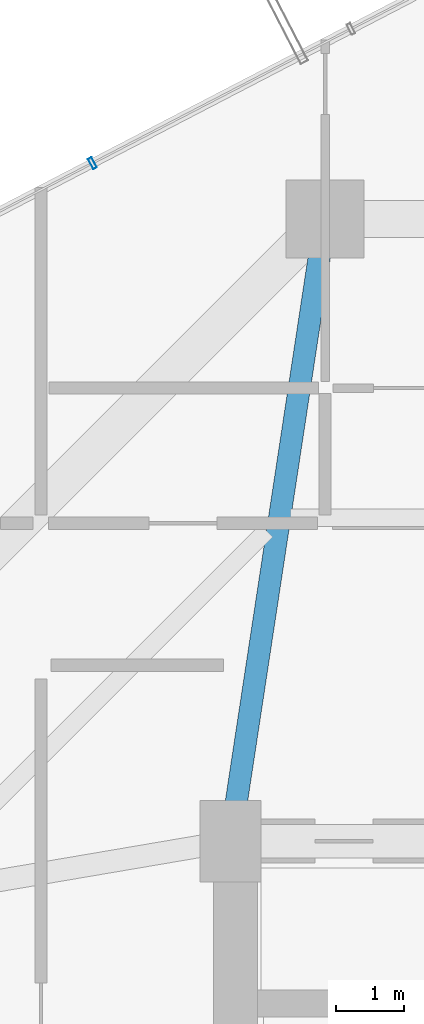
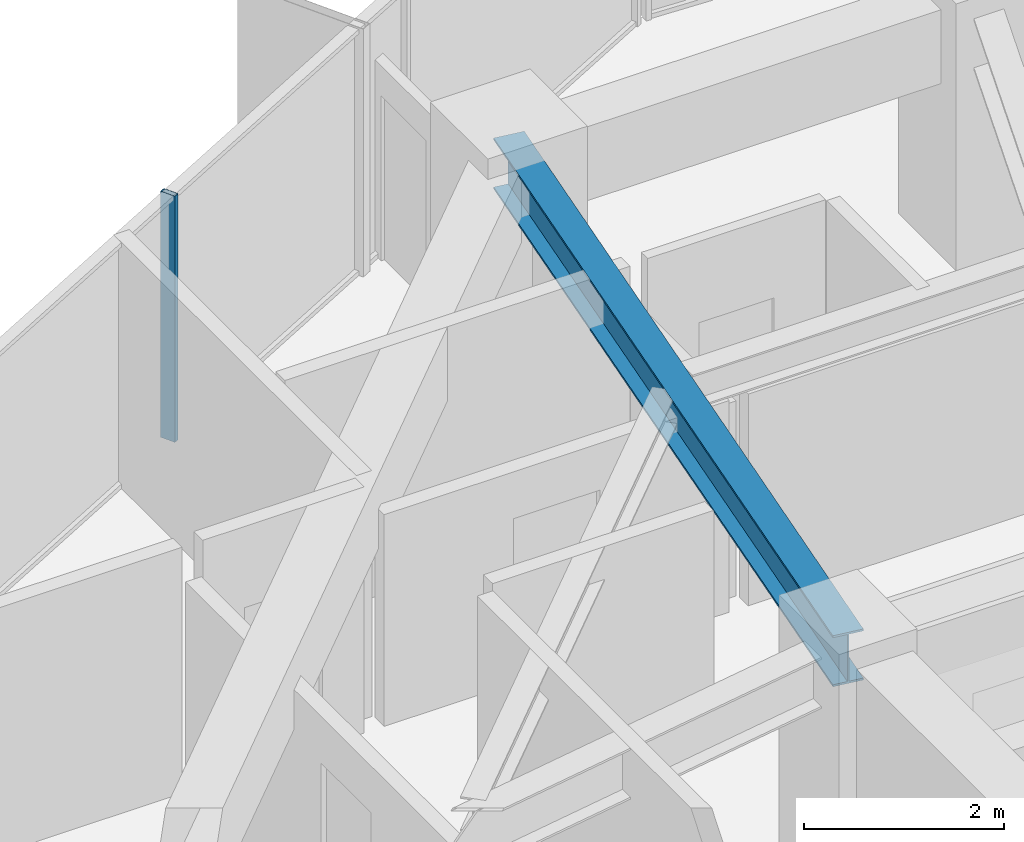
# One storey, part 17 of 30: 1 beam, 1 member, 1 element without a shape of its own.
"""IFC4 building model written with IfcOpenShell, lengths in metres."""

from ifc_helpers import new_model, si_unit, direction, frame, origin, origin_2d, place, context, subcontext, project, spatial, hollow_rectangle, i_section, extrude, source, transform, mapped, material, layer, layer_set, material_profile, profile_set, type_object, element, aggregate, save


model = new_model("IFC4")

# Units and contexts
model_context = context("Model", 3, precision=1e-05, world=origin(), true_north=direction((0.0, 1.0)))
body_context = subcontext(model_context, "Body", "Model", "MODEL_VIEW")
ifc_project = project(units=[si_unit("LENGTHUNIT", "METRE"), si_unit("AREAUNIT", "SQUARE_METRE"), si_unit("VOLUMEUNIT", "CUBIC_METRE"), si_unit("PLANEANGLEUNIT", "RADIAN"), si_unit("MASSUNIT", "GRAM", prefix="KILO")], contexts=[model_context])

# Site, building, storey
site_placement = place(None, origin())
site = spatial("IfcSite", under=ifc_project, at=site_placement, CompositionType="ELEMENT")
building_placement = place(site_placement, origin())
building = spatial("IfcBuilding", under=site, at=building_placement, Name="Veraguas Prism Commons", CompositionType="ELEMENT")
storey_placement = place(building_placement, frame((0.0, 0.0, 119.75)))
storey = spatial("IfcBuildingStorey", under=building, at=storey_placement, Name="L33", CompositionType="ELEMENT", Elevation=119.75)

# Beam
ifc_material_1 = material(Name="Steel ASTM A992 Grade 50", Category="steel")
ifc_material_profile_1 = material_profile(ifc_material_1, i_section(OverallWidth=0.327880859375, OverallDepth=0.6220703125, WebThickness=0.015380859375, FlangeThickness=0.0244140625, at=origin_2d()), Name="W610X195")
ifc_profile_set_1 = profile_set([ifc_material_profile_1], Name="Steel ASTM A992 Grade 50")
beam_type = type_object("IfcBeamType", Name="Zone 2 Radial Girder W610x195", PredefinedType="BEAM", material=ifc_profile_set_1)
beam_placement = place(storey_placement, frame((18.60009765625, 40.199951171875, 2.68896484375), z_axis=(-0.150458162136, -0.98861637729, 0.0), x_axis=(0.98861637729, -0.150458162136, 0.0)))
element("IfcBeam", 1, at=beam_placement, inside=storey, type_object=beam_type, Name="Radial Floor Girder L33-RD06", PredefinedType="BEAM", context=body_context, shape_type="SweptSolid", body=[
    extrude(i_section(OverallWidth=0.327880859375, OverallDepth=0.6220703125, WebThickness=0.015380859375, FlangeThickness=0.0244140625, at=origin_2d()), origin(), (0.0, 0.0, 1.0), 9.305908203125),
])

# Curtain wall, member
ifc_material_2 = material(Name="Anodised aluminium EN AW-6063 T6", Category="aluminium")
ifc_layer = layer(ifc_material_2, 0.169921875, Name="Unitised Flush Curtain Wall Zone 2", Category="aluminium")
ifc_layer_set = layer_set([ifc_layer], Name="Anodised aluminium EN AW-6063 T6")
curtain_wall_type = type_object("IfcCurtainWallType", Name="Unitised Flush Curtain Wall Zone 2", PredefinedType="NOTDEFINED", material=ifc_layer_set)
curtain_wall_placement = place(storey_placement, origin())
curtain_wall = element("IfcCurtainWall", 2, at=curtain_wall_placement, inside=storey, type_object=curtain_wall_type, Name="Tower Facade Curtain Wall L33-F2", PredefinedType="NOTDEFINED")
ifc_material_profile_2 = material_profile(ifc_material_2, hollow_rectangle(XDim=0.06005859375, YDim=0.169921875, WallThickness=0.00390625, at=origin_2d()), Name="AL60X170X4")
ifc_profile_set_2 = profile_set([ifc_material_profile_2], Name="Anodised aluminium EN AW-6063 T6")
member_type = type_object("IfcMemberType", Name="Curtain Wall Mullion Lower AL 60x170x4", PredefinedType="MULLION", material=ifc_profile_set_2)
shared_shape = source(origin(), body_context, "Body", "SweptSolid", [
    extrude(hollow_rectangle(XDim=0.06005859375, YDim=0.169921875, WallThickness=0.00390625, at=origin_2d()), origin(), (0.0, 0.0, 1.0), 3.0),
])
member_placement = place(storey_placement, frame((15.160400390625, 41.0244140625, 0.0), z_axis=(0.0, 0.0, 1.0), x_axis=(-0.887493888749, -0.46081948465, 0.0)))
member = element("IfcMember", 3, at=member_placement, type_object=member_type, Name="CW-Z2 Mullion 3", PredefinedType="MULLION", context=body_context, shape_type="MappedRepresentation", body=[
    mapped(shared_shape, transform((0.0, 0.0, 0.0), scale=1.0)),
])
aggregate(curtain_wall, [member])

save(model, "model.ifc")
